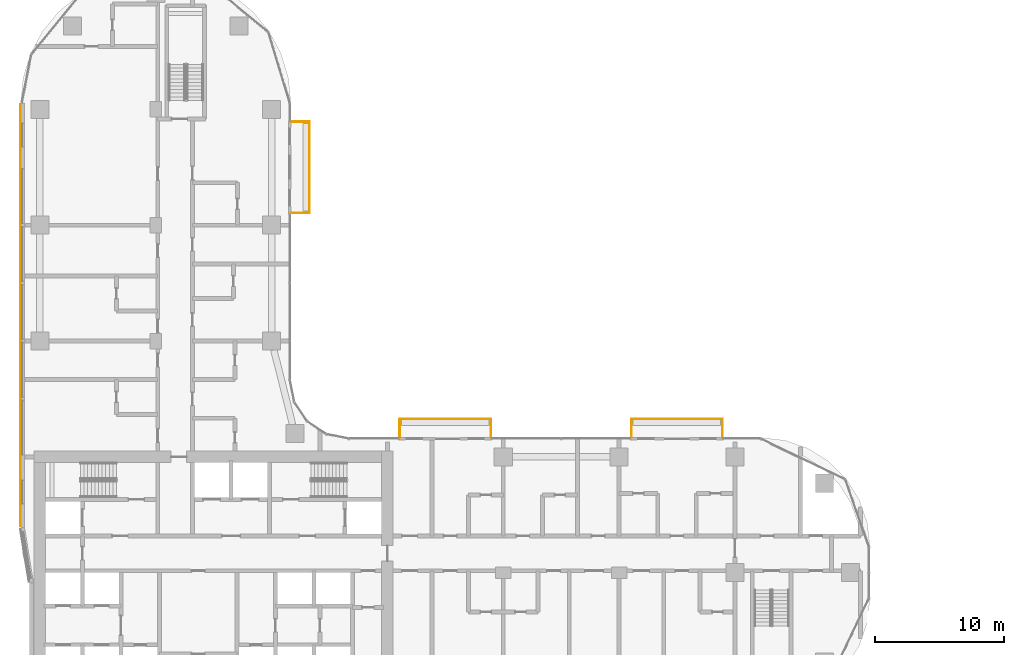
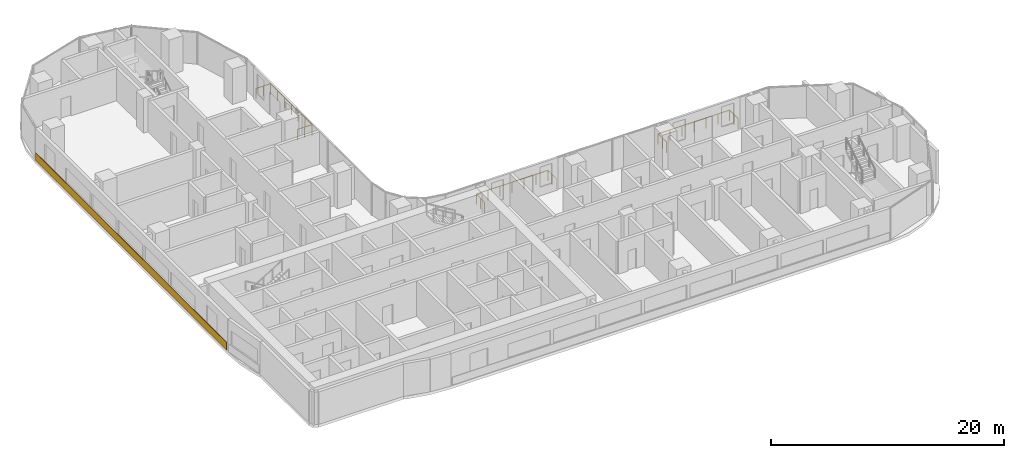
# One storey, part 29 of 31: 3 railings, 1 covering.
"""IFC4 building model written with IfcOpenShell, lengths in metres."""

from ifc_helpers import new_model, si_unit, direction, frame, origin, origin_2d, place, context, subcontext, project, spatial, rectangle, circle, extrude, material, layer, layer_set, type_object, element, save


model = new_model("IFC4")

# Units and contexts
model_context = context("Model", 3, precision=1e-05, world=origin(), true_north=direction((0.0, 1.0)))
body_context = subcontext(model_context, "Body", "Model", "MODEL_VIEW")
ifc_project = project(units=[si_unit("LENGTHUNIT", "METRE"), si_unit("AREAUNIT", "SQUARE_METRE"), si_unit("VOLUMEUNIT", "CUBIC_METRE"), si_unit("PLANEANGLEUNIT", "RADIAN"), si_unit("MASSUNIT", "GRAM", prefix="KILO")], contexts=[model_context])

# Site, building, storey
site_placement = place(None, origin())
site = spatial("IfcSite", under=ifc_project, at=site_placement, CompositionType="ELEMENT")
building_placement = place(site_placement, origin())
building = spatial("IfcBuilding", under=site, at=building_placement, Name="Ogive Portal Towers", CompositionType="ELEMENT")
storey_placement = place(building_placement, frame((0.0, 0.0, 74.199951171875)))
storey = spatial("IfcBuildingStorey", under=building, at=storey_placement, Name="L17", CompositionType="ELEMENT", Elevation=74.199951171875)

# Railings
ifc_material_1 = material(Name="Steel S355", Category="steel")
railing_type = type_object("IfcRailingType", Name="BALUSTRADE GLASS 1100", PredefinedType="BALUSTRADE", material=ifc_material_1)
railing_1_placement = place(storey_placement, frame((59.4599609375, 41.0, 0.0)))
element("IfcRailing", 1, at=railing_1_placement, inside=storey, type_object=railing_type, Name="A:L17:bal:T1:rail", PredefinedType="BALUSTRADE", context=body_context, shape_type="SweptSolid", body=[
    extrude(circle(Radius=0.02392578125, at=origin_2d()), frame((0.0, 0.0, 1.076171875), z_axis=(0.0, 1.0, 0.0), x_axis=(-1.0, 0.0, 0.0)), (0.0, 0.0, 1.0), 1.43994140625),
    extrude(circle(Radius=0.02392578125, at=origin_2d()), frame((0.0, 1.43994140625, 1.076171875), z_axis=(1.0, 0.0, 0.0), x_axis=(0.0, 1.0, 0.0)), (0.0, 0.0, 1.0), 7.080078125),
    extrude(circle(Radius=0.02392578125, at=origin_2d()), frame((7.080078125, 1.43994140625, 1.076171875), z_axis=(0.0, -1.0, 0.0), x_axis=(1.0, 0.0, 0.0)), (0.0, 0.0, 1.0), 1.43994140625),
    extrude(circle(Radius=0.02099609375, at=origin_2d()), origin(), (0.0, 0.0, 1.0), 1.052001953125),
    extrude(circle(Radius=0.02099609375, at=origin_2d()), frame((0.0, 0.719970703125, 0.0)), (0.0, 0.0, 1.0), 1.052001953125),
    extrude(circle(Radius=0.02099609375, at=origin_2d()), frame((0.0, 1.43994140625, 0.0)), (0.0, 0.0, 1.0), 1.052001953125),
    extrude(circle(Radius=0.02099609375, at=origin_2d()), frame((1.179931640625, 1.43994140625, 0.0)), (0.0, 0.0, 1.0), 1.052001953125),
    extrude(circle(Radius=0.02099609375, at=origin_2d()), frame((2.360107421875, 1.43994140625, 0.0)), (0.0, 0.0, 1.0), 1.052001953125),
    extrude(circle(Radius=0.02099609375, at=origin_2d()), frame((3.5400390625, 1.43994140625, 0.0)), (0.0, 0.0, 1.0), 1.052001953125),
    extrude(circle(Radius=0.02099609375, at=origin_2d()), frame((4.719970703125, 1.43994140625, 0.0)), (0.0, 0.0, 1.0), 1.052001953125),
    extrude(circle(Radius=0.02099609375, at=origin_2d()), frame((5.900146484375, 1.43994140625, 0.0)), (0.0, 0.0, 1.0), 1.052001953125),
    extrude(circle(Radius=0.02099609375, at=origin_2d()), frame((7.080078125, 1.43994140625, 0.0)), (0.0, 0.0, 1.0), 1.052001953125),
    extrude(circle(Radius=0.02099609375, at=origin_2d()), frame((7.080078125, 0.719970703125, 0.0)), (0.0, 0.0, 1.0), 1.052001953125),
    extrude(circle(Radius=0.02099609375, at=origin_2d()), frame((7.080078125, 0.0, 0.0)), (0.0, 0.0, 1.0), 1.052001953125),
])
railing_2_placement = place(storey_placement, frame((77.4599609375, 41.0, 0.0)))
element("IfcRailing", 2, at=railing_2_placement, inside=storey, type_object=railing_type, Name="A:L17:bal:T3:rail", PredefinedType="BALUSTRADE", context=body_context, shape_type="SweptSolid", body=[
    extrude(circle(Radius=0.02392578125, at=origin_2d()), frame((0.0, 0.0, 1.076171875), z_axis=(0.0, 1.0, 0.0), x_axis=(-1.0, 0.0, 0.0)), (0.0, 0.0, 1.0), 1.43994140625),
    extrude(circle(Radius=0.02392578125, at=origin_2d()), frame((0.0, 1.43994140625, 1.076171875), z_axis=(1.0, 0.0, 0.0), x_axis=(0.0, 1.0, 0.0)), (0.0, 0.0, 1.0), 7.080078125),
    extrude(circle(Radius=0.02392578125, at=origin_2d()), frame((7.080078125, 1.43994140625, 1.076171875), z_axis=(0.0, -1.0, 0.0), x_axis=(1.0, 0.0, 0.0)), (0.0, 0.0, 1.0), 1.43994140625),
    extrude(circle(Radius=0.02099609375, at=origin_2d()), origin(), (0.0, 0.0, 1.0), 1.052001953125),
    extrude(circle(Radius=0.02099609375, at=origin_2d()), frame((0.0, 0.719970703125, 0.0)), (0.0, 0.0, 1.0), 1.052001953125),
    extrude(circle(Radius=0.02099609375, at=origin_2d()), frame((0.0, 1.43994140625, 0.0)), (0.0, 0.0, 1.0), 1.052001953125),
    extrude(circle(Radius=0.02099609375, at=origin_2d()), frame((1.179931640625, 1.43994140625, 0.0)), (0.0, 0.0, 1.0), 1.052001953125),
    extrude(circle(Radius=0.02099609375, at=origin_2d()), frame((2.360107421875, 1.43994140625, 0.0)), (0.0, 0.0, 1.0), 1.052001953125),
    extrude(circle(Radius=0.02099609375, at=origin_2d()), frame((3.5400390625, 1.43994140625, 0.0)), (0.0, 0.0, 1.0), 1.052001953125),
    extrude(circle(Radius=0.02099609375, at=origin_2d()), frame((4.719970703125, 1.43994140625, 0.0)), (0.0, 0.0, 1.0), 1.052001953125),
    extrude(circle(Radius=0.02099609375, at=origin_2d()), frame((5.900146484375, 1.43994140625, 0.0)), (0.0, 0.0, 1.0), 1.052001953125),
    extrude(circle(Radius=0.02099609375, at=origin_2d()), frame((7.080078125, 1.43994140625, 0.0)), (0.0, 0.0, 1.0), 1.052001953125),
    extrude(circle(Radius=0.02099609375, at=origin_2d()), frame((7.080078125, 0.719970703125, 0.0)), (0.0, 0.0, 1.0), 1.052001953125),
    extrude(circle(Radius=0.02099609375, at=origin_2d()), frame((7.080078125, 0.0, 0.0)), (0.0, 0.0, 1.0), 1.052001953125),
])
railing_3_placement = place(storey_placement, frame((51.0, 58.4599609375, 0.0)))
element("IfcRailing", 3, at=railing_3_placement, inside=storey, type_object=railing_type, Name="A:L17:bal:S2:rail", PredefinedType="BALUSTRADE", context=body_context, shape_type="SweptSolid", body=[
    extrude(circle(Radius=0.02392578125, at=origin_2d()), frame((0.0, 0.0, 1.076171875), z_axis=(1.0, 0.0, 0.0), x_axis=(0.0, 1.0, 0.0)), (0.0, 0.0, 1.0), 1.43994140625),
    extrude(circle(Radius=0.02392578125, at=origin_2d()), frame((1.43994140625, 0.0, 1.076171875), z_axis=(0.0, 1.0, 0.0), x_axis=(-1.0, 0.0, 0.0)), (0.0, 0.0, 1.0), 7.080078125),
    extrude(circle(Radius=0.02392578125, at=origin_2d()), frame((1.43994140625, 7.080078125, 1.076171875), z_axis=(-1.0, 0.0, 0.0), x_axis=(0.0, -1.0, 0.0)), (0.0, 0.0, 1.0), 1.43994140625),
    extrude(circle(Radius=0.02099609375, at=origin_2d()), origin(), (0.0, 0.0, 1.0), 1.052001953125),
    extrude(circle(Radius=0.02099609375, at=origin_2d()), frame((0.719970703125, 0.0, 0.0)), (0.0, 0.0, 1.0), 1.052001953125),
    extrude(circle(Radius=0.02099609375, at=origin_2d()), frame((1.43994140625, 0.0, 0.0)), (0.0, 0.0, 1.0), 1.052001953125),
    extrude(circle(Radius=0.02099609375, at=origin_2d()), frame((1.43994140625, 1.179931640625, 0.0)), (0.0, 0.0, 1.0), 1.052001953125),
    extrude(circle(Radius=0.02099609375, at=origin_2d()), frame((1.43994140625, 2.360107421875, 0.0)), (0.0, 0.0, 1.0), 1.052001953125),
    extrude(circle(Radius=0.02099609375, at=origin_2d()), frame((1.43994140625, 3.5400390625, 0.0)), (0.0, 0.0, 1.0), 1.052001953125),
    extrude(circle(Radius=0.02099609375, at=origin_2d()), frame((1.43994140625, 4.719970703125, 0.0)), (0.0, 0.0, 1.0), 1.052001953125),
    extrude(circle(Radius=0.02099609375, at=origin_2d()), frame((1.43994140625, 5.900146484375, 0.0)), (0.0, 0.0, 1.0), 1.052001953125),
    extrude(circle(Radius=0.02099609375, at=origin_2d()), frame((1.43994140625, 7.080078125, 0.0)), (0.0, 0.0, 1.0), 1.052001953125),
    extrude(circle(Radius=0.02099609375, at=origin_2d()), frame((0.719970703125, 7.080078125, 0.0)), (0.0, 0.0, 1.0), 1.052001953125),
    extrude(circle(Radius=0.02099609375, at=origin_2d()), frame((0.0, 7.080078125, 0.0)), (0.0, 0.0, 1.0), 1.052001953125),
])

# Covering
ifc_material_2 = material(Name="Limestone cladding on lightweight block wall", Category="masonry")
ifc_layer = layer(ifc_material_2, 0.050048828125)
ifc_layer_set = layer_set([ifc_layer], Name="SCREEN PERFORATED STONE")
covering_type = type_object("IfcCoveringType", Name="SCREEN PERFORATED STONE", PredefinedType="CLADDING", material=ifc_layer_set)
covering_placement = place(storey_placement, frame((29.97509765625, 50.50830078125, 0.10009765625), z_axis=(0.0, 0.0, 1.0), x_axis=(0.0, -1.0, 0.0)))
element("IfcCovering", 4, at=covering_placement, inside=storey, type_object=covering_type, Name="Tracery screen", PredefinedType="CLADDING", context=body_context, shape_type="SweptSolid", body=[
    extrude(rectangle(XDim=32.767822265625, YDim=0.050048828125, at=origin_2d()), origin(), (0.0, 0.0, 1.0), 0.800048828125),
])

save(model, "model.ifc")
